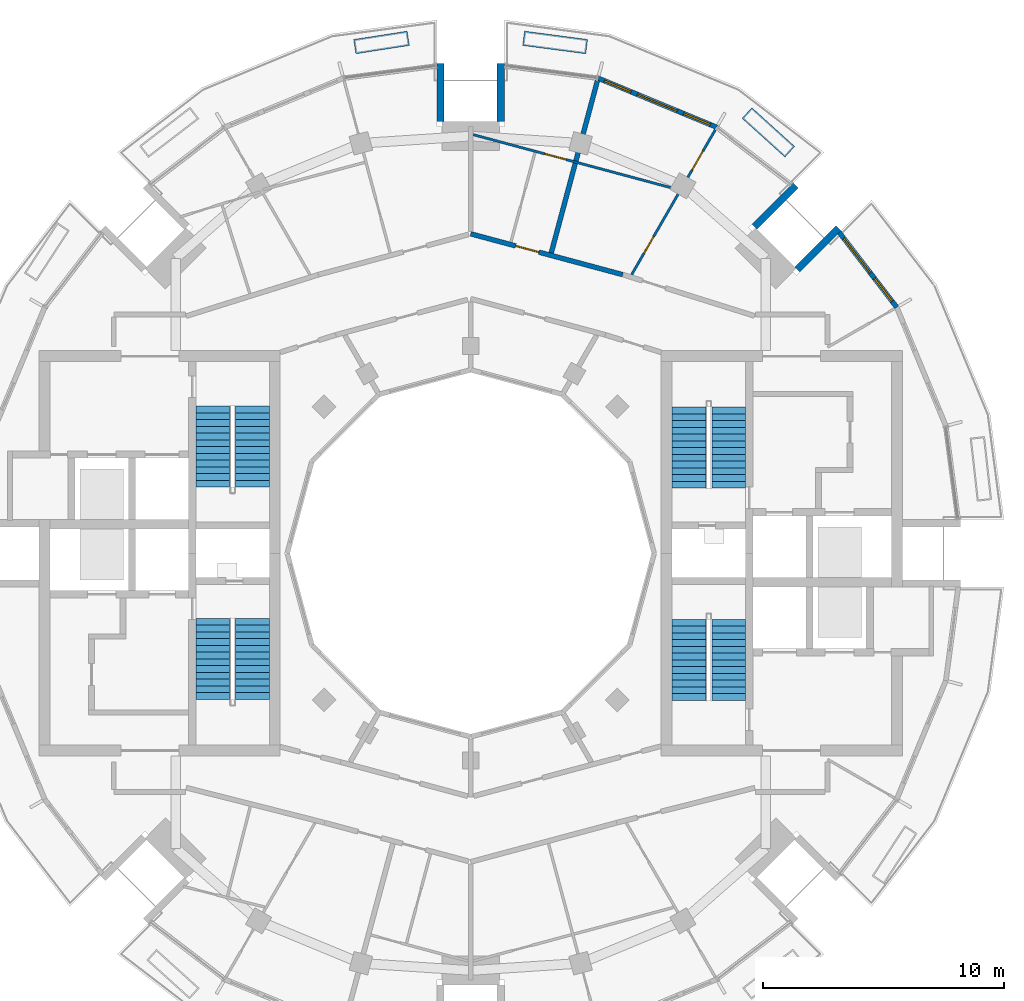
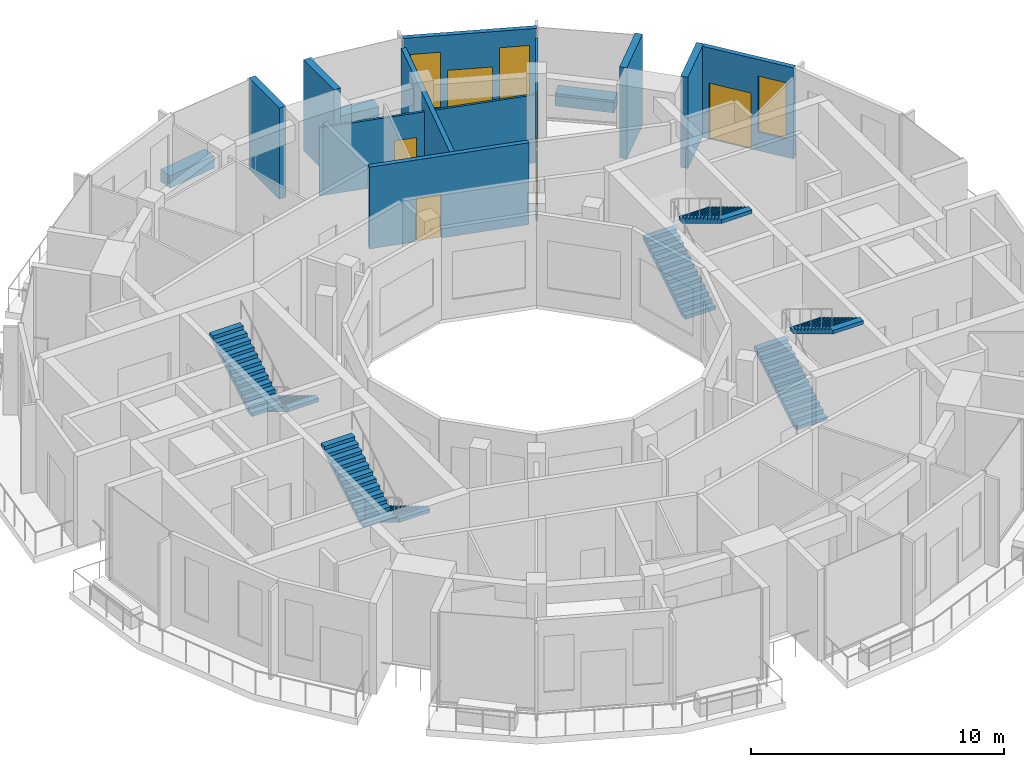
# One storey, part 12 of 15: 13 walls, 8 stair flights, 6 doors, 3 windows, 9 openings, 4 elements without a shape of their own.
"""IFC4 building model written with IfcOpenShell, lengths in metres."""

from ifc_helpers import new_model, si_unit, direction, frame, frame_2d, origin, place, context, subcontext, project, spatial, polyline, rectangle, outline, extrude, material, layer, layer_set, type_object, element, fill, aggregate, save


model = new_model("IFC4")

# Units and contexts
model_context = context("Model", 3, precision=1e-05, world=origin(), true_north=direction((0.0, 1.0)))
body_context = subcontext(model_context, "Body", "Model", "MODEL_VIEW")
ifc_project = project(units=[si_unit("LENGTHUNIT", "METRE"), si_unit("AREAUNIT", "SQUARE_METRE"), si_unit("VOLUMEUNIT", "CUBIC_METRE"), si_unit("PLANEANGLEUNIT", "RADIAN"), si_unit("MASSUNIT", "GRAM", prefix="KILO")], contexts=[model_context])

# Site, building, storey
site_placement = place(None, origin())
site = spatial("IfcSite", under=ifc_project, at=site_placement, CompositionType="ELEMENT")
building_placement = place(site_placement, origin())
building = spatial("IfcBuilding", under=site, at=building_placement, Name="Torre Brocal", CompositionType="ELEMENT")
storey_placement = place(building_placement, frame((0.0, 0.0, 314.89990234375)))
storey = spatial("IfcBuildingStorey", under=building, at=storey_placement, Name="L72", CompositionType="ELEMENT", Elevation=314.89990234375)

# Wall, openings, door, window
ifc_material_1 = material(Name="Concrete C40", Category="concrete")
ifc_layer_1 = layer(ifc_material_1, 0.199951171875)
ifc_layer_set_1 = layer_set([ifc_layer_1], Name="Concrete C40")
wall_type_1 = type_object("IfcWallType", Name="EXTERNAL WALL 200", PredefinedType="NOTDEFINED", material=ifc_layer_set_1)
wall_1_placement = place(storey_placement, frame((97.666259765625, 85.199462890625, 0.0), z_axis=(0.0, 0.0, 1.0), x_axis=(-0.608757608177, 0.793356272104, 0.0)))
wall_1 = element("IfcWall", 1, at=wall_1_placement, inside=storey, type_object=wall_type_1, Name="EXTERNAL WALL", PredefinedType="NOTDEFINED", context=body_context, shape_type="SweptSolid", body=[
    extrude(rectangle(XDim=3.913330078125, YDim=0.199951171875, at=frame_2d((1.95654296875, 0.0))), origin(), (0.0, 0.0, 1.0), 4.400146484375),
])
opening_1_placement = place(wall_1_placement, frame((0.313232421875, 0.0, 0.89990234375)))
opening_1 = element("IfcOpeningElement", 2, at=opening_1_placement, cuts=wall_1, Name="Opening W9", PredefinedType="OPENING", context=body_context, shape_type="SweptSolid", body=[
    extrude(rectangle(XDim=1.199951171875, YDim=2.699951171875, at=frame_2d((0.60009765625, 1.35009765625))), frame((0.0, 0.10986328125, 0.0), z_axis=(0.0, -1.0, 0.0), x_axis=(1.0, 0.0, 0.0)), (0.0, 0.0, 1.0), 0.219970703125),
])
opening_2_placement = place(wall_1_placement, frame((1.813232421875, 0.0, 0.0)))
opening_2 = element("IfcOpeningElement", 3, at=opening_2_placement, cuts=wall_1, Name="Opening L72-E01", PredefinedType="OPENING", context=body_context, shape_type="SweptSolid", body=[
    extrude(rectangle(XDim=1.800048828125, YDim=2.699951171875, at=frame_2d((0.89990234375, 1.35009765625))), frame((0.0, 0.10986328125, 0.0), z_axis=(0.0, -1.0, 0.0), x_axis=(1.0, 0.0, 0.0)), (0.0, 0.0, 1.0), 0.219970703125),
])
ifc_material_2 = material(Name="Aluminium and glass", Category="aluminium")
door_type_1 = type_object("IfcDoorType", Name="PENTHOUSE TERRACE DOUBLE DOOR 1800X2700", OperationType="DOUBLE_DOOR_SINGLE_SWING", PredefinedType="DOOR", material=ifc_material_2)
door_1_placement = place(opening_2_placement, frame((1.800048828125, 0.0, 0.0), z_axis=(0.0, 0.0, 1.0), x_axis=(-1.0, 0.0, 0.0)))
door_1 = element("IfcDoor", 4, at=door_1_placement, inside=storey, type_object=door_type_1, Name="DOOR L72-E01", OperationType="DOUBLE_DOOR_SINGLE_SWING", OverallHeight=2.699951171875, OverallWidth=1.800048828125, PredefinedType="DOOR", context=body_context, shape_type="SweptSolid", body=[
    extrude(rectangle(XDim=1.800048828125, YDim=2.699951171875, at=frame_2d((0.89990234375, 1.35009765625))), frame((0.0, 0.02490234375, 0.0), z_axis=(0.0, -1.0, 0.0), x_axis=(1.0, 0.0, 0.0)), (0.0, 0.0, 1.0), 0.050048828125),
])
fill(opening_2, door_1)
ifc_material_3 = material(Name="Aluminium and glass", Category="aluminium")
window_type = type_object("IfcWindowType", Name="PENTHOUSE TERRACE WINDOW 1200X2700", PartitioningType="SINGLE_PANEL", PredefinedType="WINDOW", material=ifc_material_3)
window_1_placement = place(opening_1_placement, origin())
window_1 = element("IfcWindow", 5, at=window_1_placement, inside=storey, type_object=window_type, Name="PENTHOUSE TERRACE WINDOW 1200X2700", OverallHeight=2.699951171875, OverallWidth=1.199951171875, PartitioningType="SINGLE_PANEL", PredefinedType="WINDOW", context=body_context, shape_type="SweptSolid", body=[
    extrude(rectangle(XDim=1.199951171875, YDim=2.699951171875, at=frame_2d((0.60009765625, 1.35009765625))), frame((0.0, 0.030029296875, 0.0), z_axis=(0.0, -1.0, 0.0), x_axis=(1.0, 0.0, 0.0)), (0.0, 0.0, 1.0), 0.06005859375),
])
fill(opening_1, window_1)

# Wall, openings, door, windows
wall_2_placement = place(storey_placement, frame((90.199462890625, 92.666259765625, 0.0), z_axis=(0.0, 0.0, 1.0), x_axis=(-0.923876574156, 0.382690574388, 0.0)))
wall_2 = element("IfcWall", 6, at=wall_2_placement, inside=storey, type_object=wall_type_1, Name="EXTERNAL WALL", PredefinedType="NOTDEFINED", context=body_context, shape_type="SweptSolid", body=[
    extrude(rectangle(XDim=5.324951171875, YDim=0.199951171875, at=frame_2d((2.66259765625, 0.0))), origin(), (0.0, 0.0, 1.0), 4.400146484375),
])
opening_3_placement = place(wall_2_placement, frame((0.28759765625, 0.0, 0.89990234375)))
opening_3 = element("IfcOpeningElement", 7, at=opening_3_placement, cuts=wall_2, Name="Opening W9", PredefinedType="OPENING", context=body_context, shape_type="SweptSolid", body=[
    extrude(rectangle(XDim=1.199951171875, YDim=2.699951171875, at=frame_2d((0.60009765625, 1.35009765625))), frame((0.0, 0.10986328125, 0.0), z_axis=(0.0, -1.0, 0.0), x_axis=(1.0, 0.0, 0.0)), (0.0, 0.0, 1.0), 0.219970703125),
])
opening_4_placement = place(wall_2_placement, frame((1.7626953125, 0.0, 0.0)))
opening_4 = element("IfcOpeningElement", 8, at=opening_4_placement, cuts=wall_2, Name="Opening L72-E02", PredefinedType="OPENING", context=body_context, shape_type="SweptSolid", body=[
    extrude(rectangle(XDim=1.800048828125, YDim=2.699951171875, at=frame_2d((0.89990234375, 1.35009765625))), frame((0.0, 0.10986328125, 0.0), z_axis=(0.0, -1.0, 0.0), x_axis=(1.0, 0.0, 0.0)), (0.0, 0.0, 1.0), 0.219970703125),
])
opening_5_placement = place(wall_2_placement, frame((3.837646484375, 0.0, 0.89990234375)))
opening_5 = element("IfcOpeningElement", 9, at=opening_5_placement, cuts=wall_2, Name="Opening W9", PredefinedType="OPENING", context=body_context, shape_type="SweptSolid", body=[
    extrude(rectangle(XDim=1.199951171875, YDim=2.699951171875, at=frame_2d((0.60009765625, 1.35009765625))), frame((0.0, 0.10986328125, 0.0), z_axis=(0.0, -1.0, 0.0), x_axis=(1.0, 0.0, 0.0)), (0.0, 0.0, 1.0), 0.219970703125),
])
door_2_placement = place(opening_4_placement, frame((1.800048828125, 0.0, 0.0), z_axis=(0.0, 0.0, 1.0), x_axis=(-1.0, 0.0, 0.0)))
door_2 = element("IfcDoor", 10, at=door_2_placement, inside=storey, type_object=door_type_1, Name="DOOR L72-E02", OperationType="DOUBLE_DOOR_SINGLE_SWING", OverallHeight=2.699951171875, OverallWidth=1.800048828125, PredefinedType="DOOR", context=body_context, shape_type="SweptSolid", body=[
    extrude(rectangle(XDim=1.800048828125, YDim=2.699951171875, at=frame_2d((0.89990234375, 1.35009765625))), frame((0.0, 0.02490234375, 0.0), z_axis=(0.0, -1.0, 0.0), x_axis=(1.0, 0.0, 0.0)), (0.0, 0.0, 1.0), 0.050048828125),
])
fill(opening_4, door_2)
window_2_placement = place(opening_3_placement, origin())
window_2 = element("IfcWindow", 11, at=window_2_placement, inside=storey, type_object=window_type, Name="PENTHOUSE TERRACE WINDOW 1200X2700", OverallHeight=2.699951171875, OverallWidth=1.199951171875, PartitioningType="SINGLE_PANEL", PredefinedType="WINDOW", context=body_context, shape_type="SweptSolid", body=[
    extrude(rectangle(XDim=1.199951171875, YDim=2.699951171875, at=frame_2d((0.60009765625, 1.35009765625))), frame((0.0, 0.030029296875, 0.0), z_axis=(0.0, -1.0, 0.0), x_axis=(1.0, 0.0, 0.0)), (0.0, 0.0, 1.0), 0.06005859375),
])
fill(opening_3, window_2)
window_3_placement = place(opening_5_placement, origin())
window_3 = element("IfcWindow", 12, at=window_3_placement, inside=storey, type_object=window_type, Name="PENTHOUSE TERRACE WINDOW 1200X2700", OverallHeight=2.699951171875, OverallWidth=1.199951171875, PartitioningType="SINGLE_PANEL", PredefinedType="WINDOW", context=body_context, shape_type="SweptSolid", body=[
    extrude(rectangle(XDim=1.199951171875, YDim=2.699951171875, at=frame_2d((0.60009765625, 1.35009765625))), frame((0.0, 0.030029296875, 0.0), z_axis=(0.0, -1.0, 0.0), x_axis=(1.0, 0.0, 0.0)), (0.0, 0.0, 1.0), 0.06005859375),
])
fill(opening_5, window_3)

# Walls
ifc_material_4 = material(Name="Concrete C50", Category="concrete")
ifc_layer_2 = layer(ifc_material_4, 0.300048828125)
ifc_layer_set_2 = layer_set([ifc_layer_2], Name="Concrete C50")
wall_type_2 = type_object("IfcWallType", Name="NOTCH RETURN WALL 300 C50", PredefinedType="NOTDEFINED", material=ifc_layer_set_2)
for number, where, z_axis, x_axis, name in (
    (13, (93.541015625, 86.7734375, 0.0), (0.0, 0.0, 1.0), (0.707157312274, 0.707056246487, 0.0), "NOTCH RETURN WALL"),
    (14, (91.7734375, 88.541015625, 0.0), (0.0, 0.0, 1.0), (0.707056246487, 0.707157312274, 0.0), "NOTCH RETURN WALL"),
    (15, (81.25, 92.89990234375, 0.0), (0.0, 0.0, 1.0), (0.0, 1.0, 0.0), "NOTCH RETURN WALL"),
    (16, (78.75, 92.89990234375, 0.0), (0.0, 0.0, 1.0), (0.0, 1.0, 0.0), "NOTCH RETURN WALL"),
):
    element("IfcWall", number, at=place(storey_placement, frame(where, z_axis=z_axis, x_axis=x_axis)), inside=storey, type_object=wall_type_2, Name=name, PredefinedType="NOTDEFINED", context=body_context, shape_type="SweptSolid", body=[
        extrude(rectangle(XDim=2.415771484375, YDim=0.300048828125, at=frame_2d((1.2080078125, 0.0))), origin(), (0.0, 0.0, 1.0), 4.400146484375),
    ])

# Wall, openings, doors
ifc_material_5 = material(Name="Gypsum board", Category="Gypsum")
ifc_layer_3 = layer(ifc_material_5, 0.10009765625)
ifc_layer_set_3 = layer_set([ifc_layer_3], Name="Gypsum board")
wall_type_3 = type_object("IfcWallType", Name="PARTITION 100", PredefinedType="PARTITIONING", material=ifc_layer_set_3)
wall_3_placement = place(storey_placement, frame((86.6728515625, 86.55322265625, 0.0), z_axis=(0.0, 0.0, 1.0), x_axis=(0.500103298341, 0.865965756245, 0.0)))
wall_3 = element("IfcWall", 17, at=wall_3_placement, inside=storey, type_object=wall_type_3, Name="BATHROOM WALL", PredefinedType="PARTITIONING", context=body_context, shape_type="SweptSolid", body=[
    extrude(rectangle(XDim=6.95458984375, YDim=0.10009765625, at=frame_2d((3.477294921875, 0.0))), origin(), (0.0, 0.0, 1.0), 3.9501953125),
])
opening_6_placement = place(wall_3_placement, frame((5.0146484375, 0.0, 0.0)))
opening_6 = element("IfcOpeningElement", 18, at=opening_6_placement, cuts=wall_3, Name="Opening N05-D02", PredefinedType="OPENING", context=body_context, shape_type="SweptSolid", body=[
    extrude(rectangle(XDim=0.89990234375, YDim=2.10009765625, at=frame_2d((0.449951171875, 1.050048828125))), frame((0.0, 0.06005859375, 0.0), z_axis=(0.0, -1.0, 0.0), x_axis=(1.0, 0.0, 0.0)), (0.0, 0.0, 1.0), 0.1201171875),
])
opening_7_placement = place(wall_3_placement, frame((1.027587890625, 0.0, 0.0)))
opening_7 = element("IfcOpeningElement", 19, at=opening_7_placement, cuts=wall_3, Name="Opening N05-D03", PredefinedType="OPENING", context=body_context, shape_type="SweptSolid", body=[
    extrude(rectangle(XDim=0.800048828125, YDim=2.10009765625, at=frame_2d((0.39990234375, 1.050048828125))), frame((0.0, 0.06005859375, 0.0), z_axis=(0.0, -1.0, 0.0), x_axis=(1.0, 0.0, 0.0)), (0.0, 0.0, 1.0), 0.1201171875),
])
ifc_material_6 = material(Name="Timber", Category="wood")
door_type_2 = type_object("IfcDoorType", Name="BATHROOM DOOR 800X2100", OperationType="SINGLE_SWING_LEFT", PredefinedType="DOOR", material=ifc_material_6)
door_3_placement = place(opening_7_placement, origin())
door_3 = element("IfcDoor", 20, at=door_3_placement, inside=storey, type_object=door_type_2, Name="N05-D03", OperationType="SINGLE_SWING_LEFT", OverallHeight=2.10009765625, OverallWidth=0.800048828125, PredefinedType="DOOR", context=body_context, shape_type="SweptSolid", body=[
    extrude(rectangle(XDim=0.800048828125, YDim=2.10009765625, at=frame_2d((0.39990234375, 1.050048828125))), frame((0.0, 0.02490234375, 0.0), z_axis=(0.0, -1.0, 0.0), x_axis=(1.0, 0.0, 0.0)), (0.0, 0.0, 1.0), 0.050048828125),
])
fill(opening_7, door_3)
ifc_material_7 = material(Name="Timber", Category="wood")
door_type_3 = type_object("IfcDoorType", Name="ROOM DOOR 900X2100", OperationType="SINGLE_SWING_LEFT", PredefinedType="DOOR", material=ifc_material_7)
door_4_placement = place(opening_6_placement, origin())
door_4 = element("IfcDoor", 21, at=door_4_placement, inside=storey, type_object=door_type_3, Name="N05-D02", OperationType="SINGLE_SWING_LEFT", OverallHeight=2.10009765625, OverallWidth=0.89990234375, PredefinedType="DOOR", context=body_context, shape_type="SweptSolid", body=[
    extrude(rectangle(XDim=0.89990234375, YDim=2.10009765625, at=frame_2d((0.449951171875, 1.050048828125))), frame((0.0, 0.02490234375, 0.0), z_axis=(0.0, -1.0, 0.0), x_axis=(1.0, 0.0, 0.0)), (0.0, 0.0, 1.0), 0.050048828125),
])
fill(opening_6, door_4)

# Wall, opening, door
ifc_material_8 = material(Name="Gypsum board", Category="Gypsum")
ifc_layer_4 = layer(ifc_material_8, 0.10009765625)
ifc_layer_set_4 = layer_set([ifc_layer_4], Name="Gypsum board")
wall_type_4 = type_object("IfcWallType", Name="PARTITION 100 UNDER BEAM 1120", PredefinedType="PARTITIONING", material=ifc_layer_set_4)
wall_4_placement = place(storey_placement, frame((80.106201171875, 92.358642578125, 0.0), z_axis=(0.0, 0.0, 1.0), x_axis=(0.965889909151, -0.258953052501, 0.0)))
wall_4 = element("IfcWall", 22, at=wall_4_placement, inside=storey, type_object=wall_type_4, Name="BATHROOM WALL", PredefinedType="PARTITIONING", context=body_context, shape_type="SweptSolid", body=[
    extrude(rectangle(XDim=8.830322265625, YDim=0.10009765625, at=frame_2d((4.4150390625, 0.0))), origin(), (0.0, 0.0, 1.0), 3.280029296875),
])
opening_8_placement = place(wall_4_placement, frame((3.076416015625, 0.0, 0.0)))
opening_8 = element("IfcOpeningElement", 23, at=opening_8_placement, cuts=wall_4, Name="Opening N05-D05", PredefinedType="OPENING", context=body_context, shape_type="SweptSolid", body=[
    extrude(rectangle(XDim=0.89990234375, YDim=2.10009765625, at=frame_2d((0.449951171875, 1.050048828125))), frame((0.0, 0.06005859375, 0.0), z_axis=(0.0, -1.0, 0.0), x_axis=(1.0, 0.0, 0.0)), (0.0, 0.0, 1.0), 0.1201171875),
])
door_5_placement = place(opening_8_placement, frame((0.89990234375, 0.0, 0.0), z_axis=(0.0, 0.0, 1.0), x_axis=(-1.0, 0.0, 0.0)))
door_5 = element("IfcDoor", 24, at=door_5_placement, inside=storey, type_object=door_type_3, Name="N05-D05", OperationType="SINGLE_SWING_LEFT", OverallHeight=2.10009765625, OverallWidth=0.89990234375, PredefinedType="DOOR", context=body_context, shape_type="SweptSolid", body=[
    extrude(rectangle(XDim=0.89990234375, YDim=2.10009765625, at=frame_2d((0.449951171875, 1.050048828125))), frame((0.0, 0.02490234375, 0.0), z_axis=(0.0, -1.0, 0.0), x_axis=(1.0, 0.0, 0.0)), (0.0, 0.0, 1.0), 0.050048828125),
])
fill(opening_8, door_5)

ifc_material_9 = material(Name="Gypsum board", Category="Gypsum")
ifc_layer_5 = layer(ifc_material_9, 0.199951171875)
ifc_layer_set_5 = layer_set([ifc_layer_5], Name="Gypsum board")
wall_type_5 = type_object("IfcWallType", Name="PARTITION 200 EI60", PredefinedType="PARTITIONING", material=ifc_layer_set_5)
wall_5_placement = place(storey_placement, frame((80.000244140625, 88.24658203125, 0.0), z_axis=(0.0, 0.0, 1.0), x_axis=(0.965807659316, -0.259259648244, 0.0)))
wall_5 = element("IfcWall", 25, at=wall_5_placement, inside=storey, type_object=wall_type_5, Name="FLAT ENTRANCE WALL", PredefinedType="PARTITIONING", context=body_context, shape_type="SweptSolid", body=[
    extrude(rectangle(XDim=6.52587890625, YDim=0.199951171875, at=frame_2d((3.262939453125, 0.0))), origin(), (0.0, 0.0, 1.0), 3.9501953125),
])
opening_9_placement = place(wall_5_placement, frame((1.930419921875, 0.0, 0.0)))
opening_9 = element("IfcOpeningElement", 26, at=opening_9_placement, cuts=wall_5, Name="Opening N05-D06", PredefinedType="OPENING", context=body_context, shape_type="SweptSolid", body=[
    extrude(rectangle(XDim=1.0, YDim=2.10009765625, at=frame_2d((0.5, 1.050048828125))), frame((0.0, 0.10986328125, 0.0), z_axis=(0.0, -1.0, 0.0), x_axis=(1.0, 0.0, 0.0)), (0.0, 0.0, 1.0), 0.219970703125),
])
ifc_material_10 = material(Name="Timber", Category="wood")
door_type_4 = type_object("IfcDoorType", Name="FLAT ENTRY DOOR FD30S 1000X2100", OperationType="SINGLE_SWING_RIGHT", PredefinedType="DOOR", material=ifc_material_10)
door_6_placement = place(opening_9_placement, origin())
door_6 = element("IfcDoor", 27, at=door_6_placement, inside=storey, type_object=door_type_4, Name="N05-D06", OperationType="SINGLE_SWING_LEFT", OverallHeight=2.10009765625, OverallWidth=1.0, PredefinedType="DOOR", context=body_context, shape_type="SweptSolid", body=[
    extrude(rectangle(XDim=1.0, YDim=2.10009765625, at=frame_2d((0.5, 1.050048828125))), frame((0.0, 0.02490234375, 0.0), z_axis=(0.0, -1.0, 0.0), x_axis=(1.0, 0.0, 0.0)), (0.0, 0.0, 1.0), 0.050048828125),
])
fill(opening_9, door_6)

# Walls
wall_6_placement = place(storey_placement, frame((83.33935546875, 87.45458984375, 0.0), z_axis=(0.0, 0.0, 1.0), x_axis=(0.258957498737, 0.965888717114, 0.0)))
element("IfcWall", 28, at=wall_6_placement, inside=storey, type_object=wall_type_5, Name="BATHROOM WALL", PredefinedType="PARTITIONING", context=body_context, shape_type="SweptSolid", body=[
    extrude(rectangle(XDim=7.403564453125, YDim=0.199951171875, at=frame_2d((3.70166015625, 0.0))), origin(), (0.0, 0.0, 1.0), 3.9501953125),
])
ifc_material_11 = material(Name="Concrete C35", Category="concrete")
ifc_layer_6 = layer(ifc_material_11, 0.60009765625)
ifc_layer_set_6 = layer_set([ifc_layer_6], Name="Concrete C35")
wall_type_6 = type_object("IfcWallType", Name="PLANTER WALL 600 THICK 600 HIGH 12", PredefinedType="USERDEFINED", material=ifc_layer_set_6)
wall_7_placement = place(storey_placement, frame((93.2314453125, 91.650390625, 0.0), z_axis=(0.0, 0.0, 1.0), x_axis=(-0.741658991894, 0.670777116293, 0.0)))
element("IfcWall", 29, at=wall_7_placement, inside=storey, type_object=wall_type_6, Name="PLANTER", ObjectType="PLANTER", PredefinedType="USERDEFINED", context=body_context, shape_type="SweptSolid", body=[
    extrude(rectangle(XDim=2.393798828125, YDim=0.60009765625, at=frame_2d((1.19677734375, 0.0))), origin(), (0.0, 0.0, 1.0), 0.60009765625),
])
wall_8_placement = place(storey_placement, frame((84.808349609375, 96.009521484375, 0.0), z_axis=(0.0, 0.0, 1.0), x_axis=(-0.991436014481, 0.130593373453, 0.0)))
element("IfcWall", 30, at=wall_8_placement, inside=storey, type_object=wall_type_6, Name="PLANTER", ObjectType="PLANTER", PredefinedType="USERDEFINED", context=body_context, shape_type="SweptSolid", body=[
    extrude(rectangle(XDim=2.637939453125, YDim=0.60009765625, at=frame_2d((1.31884765625, 0.0))), origin(), (0.0, 0.0, 1.0), 0.60009765625),
])
wall_9_placement = place(storey_placement, frame((77.41015625, 96.35400390625, 0.0), z_axis=(0.0, 0.0, 1.0), x_axis=(-0.988158273159, -0.153438023927, 0.0)))
element("IfcWall", 31, at=wall_9_placement, inside=storey, type_object=wall_type_6, Name="PLANTER", ObjectType="PLANTER", PredefinedType="USERDEFINED", context=body_context, shape_type="SweptSolid", body=[
    extrude(rectangle(XDim=2.2451171875, YDim=0.60009765625, at=frame_2d((1.12255859375, 0.0))), origin(), (0.0, 0.0, 1.0), 0.60009765625),
])

# Stair, stair flights
ifc_material_12 = material(Name="Concrete C50", Category="concrete")
stair_type = type_object("IfcStairType", Name="EXIT STAIR", PredefinedType="HALF_TURN_STAIR", material=ifc_material_12)
stair_1_placement = place(storey_placement, origin())
stair_1 = element("IfcStair", 32, at=stair_1_placement, inside=storey, type_object=stair_type, Name="EXIT STAIR ST1", PredefinedType="HALF_TURN_STAIR")
ifc_material_13 = material(Name="Concrete C50", Category="concrete")
ifc_layer_7 = layer(ifc_material_13, 0.14990234375)
ifc_layer_set_7 = layer_set([ifc_layer_7], Name="Concrete C50")
stair_flight_type = type_object("IfcStairFlightType", Name="STAIR FLIGHT", PredefinedType="STRAIGHT", material=ifc_layer_set_7)
stair_flight_1_placement = place(storey_placement, frame((89.050048828125, 77.699951171875, 0.0), z_axis=(0.0, 0.0, 1.0), x_axis=(0.0, 1.0, 0.0)))
stair_flight_1 = element("IfcStairFlight", 33, at=stair_flight_1_placement, type_object=stair_flight_type, Name="ST1 flight 1", NumberOfRisers=13, NumberOfTreads=12, PredefinedType="STRAIGHT", RiserHeight=0.169230769, TreadLength=0.28, context=body_context, shape_type="SweptSolid", body=[
    extrude(outline(polyline([(0.0, 0.0), (0.0, 0.169189453125), (0.280029296875, 0.169189453125), (0.280029296875, 0.33837890625), (0.56005859375, 0.33837890625), (0.56005859375, 0.5078125), (0.840087890625, 0.5078125), (0.840087890625, 0.677001953125), (1.1201171875, 0.677001953125), (1.1201171875, 0.84619140625), (1.39990234375, 0.84619140625), (1.39990234375, 1.015380859375), (1.679931640625, 1.015380859375), (1.679931640625, 1.1845703125), (1.9599609375, 1.1845703125), (1.9599609375, 1.353759765625), (2.239990234375, 1.353759765625), (2.239990234375, 1.523193359375), (2.52001953125, 1.523193359375), (2.52001953125, 1.6923828125), (2.800048828125, 1.6923828125), (2.800048828125, 1.861572265625), (3.080078125, 1.861572265625), (3.080078125, 2.03076171875), (3.360107421875, 2.03076171875), (3.360107421875, 2.199951171875), (3.360107421875, 1.855712890625), (0.289794921875, 0.0), (0.0, 0.0)])), frame((0.0, 0.699951171875, 0.0), z_axis=(0.0, -1.0, 0.0), x_axis=(1.0, 0.0, 0.0)), (0.0, 0.0, 1.0), 1.39990234375),
])
stair_flight_2_placement = place(storey_placement, frame((90.699951171875, 81.06005859375, 2.2001953125), z_axis=(0.0, 0.0, 1.0), x_axis=(0.0, -1.0, 0.0)))
stair_flight_2 = element("IfcStairFlight", 34, at=stair_flight_2_placement, type_object=stair_flight_type, Name="ST1 flight 2", NumberOfRisers=13, NumberOfTreads=12, PredefinedType="STRAIGHT", RiserHeight=0.169230769, TreadLength=0.28, context=body_context, shape_type="SweptSolid", body=[
    extrude(outline(polyline([(0.0, 0.0), (0.0, 0.169189453125), (0.280029296875, 0.169189453125), (0.280029296875, 0.33837890625), (0.56005859375, 0.33837890625), (0.56005859375, 0.5078125), (0.840087890625, 0.5078125), (0.840087890625, 0.677001953125), (1.1201171875, 0.677001953125), (1.1201171875, 0.84619140625), (1.39990234375, 0.84619140625), (1.39990234375, 1.015380859375), (1.679931640625, 1.015380859375), (1.679931640625, 1.1845703125), (1.9599609375, 1.1845703125), (1.9599609375, 1.353759765625), (2.239990234375, 1.353759765625), (2.239990234375, 1.523193359375), (2.52001953125, 1.523193359375), (2.52001953125, 1.6923828125), (2.800048828125, 1.6923828125), (2.800048828125, 1.861572265625), (3.080078125, 1.861572265625), (3.080078125, 2.03076171875), (3.360107421875, 2.03076171875), (3.360107421875, 2.199951171875), (3.360107421875, 1.855712890625), (0.289794921875, 0.0), (0.0, 0.0)])), frame((0.0, 0.699951171875, 0.0), z_axis=(0.0, -1.0, 0.0), x_axis=(1.0, 0.0, 0.0)), (0.0, 0.0, 1.0), 1.39990234375),
])
aggregate(stair_1, [stair_flight_1, stair_flight_2])

stair_2_placement = place(storey_placement, origin())
stair_2 = element("IfcStair", 35, at=stair_2_placement, inside=storey, type_object=stair_type, Name="EXIT STAIR ST2", PredefinedType="HALF_TURN_STAIR")
stair_flight_3_placement = place(storey_placement, frame((89.050048828125, 68.89990234375, 0.0), z_axis=(0.0, 0.0, 1.0), x_axis=(0.0, 1.0, 0.0)))
stair_flight_3 = element("IfcStairFlight", 36, at=stair_flight_3_placement, type_object=stair_flight_type, Name="ST2 flight 1", NumberOfRisers=13, NumberOfTreads=12, PredefinedType="STRAIGHT", RiserHeight=0.169230769, TreadLength=0.28, context=body_context, shape_type="SweptSolid", body=[
    extrude(outline(polyline([(0.0, 0.0), (0.0, 0.169189453125), (0.280029296875, 0.169189453125), (0.280029296875, 0.33837890625), (0.56005859375, 0.33837890625), (0.56005859375, 0.5078125), (0.840087890625, 0.5078125), (0.840087890625, 0.677001953125), (1.1201171875, 0.677001953125), (1.1201171875, 0.84619140625), (1.39990234375, 0.84619140625), (1.39990234375, 1.015380859375), (1.679931640625, 1.015380859375), (1.679931640625, 1.1845703125), (1.9599609375, 1.1845703125), (1.9599609375, 1.353759765625), (2.239990234375, 1.353759765625), (2.239990234375, 1.523193359375), (2.52001953125, 1.523193359375), (2.52001953125, 1.6923828125), (2.800048828125, 1.6923828125), (2.800048828125, 1.861572265625), (3.080078125, 1.861572265625), (3.080078125, 2.03076171875), (3.360107421875, 2.03076171875), (3.360107421875, 2.199951171875), (3.360107421875, 1.855712890625), (0.289794921875, 0.0), (0.0, 0.0)])), frame((0.0, 0.699951171875, 0.0), z_axis=(0.0, -1.0, 0.0), x_axis=(1.0, 0.0, 0.0)), (0.0, 0.0, 1.0), 1.39990234375),
])
stair_flight_4_placement = place(storey_placement, frame((90.699951171875, 72.260009765625, 2.2001953125), z_axis=(0.0, 0.0, 1.0), x_axis=(0.0, -1.0, 0.0)))
stair_flight_4 = element("IfcStairFlight", 37, at=stair_flight_4_placement, type_object=stair_flight_type, Name="ST2 flight 2", NumberOfRisers=13, NumberOfTreads=12, PredefinedType="STRAIGHT", RiserHeight=0.169230769, TreadLength=0.28, context=body_context, shape_type="SweptSolid", body=[
    extrude(outline(polyline([(0.0, 0.0), (0.0, 0.169189453125), (0.280029296875, 0.169189453125), (0.280029296875, 0.33837890625), (0.56005859375, 0.33837890625), (0.56005859375, 0.5078125), (0.840087890625, 0.5078125), (0.840087890625, 0.677001953125), (1.1201171875, 0.677001953125), (1.1201171875, 0.84619140625), (1.39990234375, 0.84619140625), (1.39990234375, 1.015380859375), (1.679931640625, 1.015380859375), (1.679931640625, 1.1845703125), (1.9599609375, 1.1845703125), (1.9599609375, 1.353759765625), (2.239990234375, 1.353759765625), (2.239990234375, 1.523193359375), (2.52001953125, 1.523193359375), (2.52001953125, 1.6923828125), (2.800048828125, 1.6923828125), (2.800048828125, 1.861572265625), (3.080078125, 1.861572265625), (3.080078125, 2.03076171875), (3.360107421875, 2.03076171875), (3.360107421875, 2.199951171875), (3.360107421875, 1.855712890625), (0.289794921875, 0.0), (0.0, 0.0)])), frame((0.0, 0.699951171875, 0.0), z_axis=(0.0, -1.0, 0.0), x_axis=(1.0, 0.0, 0.0)), (0.0, 0.0, 1.0), 1.39990234375),
])
aggregate(stair_2, [stair_flight_3, stair_flight_4])

stair_3_placement = place(storey_placement, origin())
stair_3 = element("IfcStair", 38, at=stair_3_placement, inside=storey, type_object=stair_type, Name="EXIT STAIR ST3", PredefinedType="HALF_TURN_STAIR")
stair_flight_5_placement = place(storey_placement, frame((70.949951171875, 72.300048828125, 0.0), z_axis=(0.0, 0.0, 1.0), x_axis=(0.0, -1.0, 0.0)))
stair_flight_5 = element("IfcStairFlight", 39, at=stair_flight_5_placement, type_object=stair_flight_type, Name="ST3 flight 1", NumberOfRisers=13, NumberOfTreads=12, PredefinedType="STRAIGHT", RiserHeight=0.169230769, TreadLength=0.28, context=body_context, shape_type="SweptSolid", body=[
    extrude(outline(polyline([(0.0, 0.0), (0.0, 0.169189453125), (0.280029296875, 0.169189453125), (0.280029296875, 0.33837890625), (0.56005859375, 0.33837890625), (0.56005859375, 0.5078125), (0.840087890625, 0.5078125), (0.840087890625, 0.677001953125), (1.1201171875, 0.677001953125), (1.1201171875, 0.84619140625), (1.39990234375, 0.84619140625), (1.39990234375, 1.015380859375), (1.679931640625, 1.015380859375), (1.679931640625, 1.1845703125), (1.9599609375, 1.1845703125), (1.9599609375, 1.353759765625), (2.239990234375, 1.353759765625), (2.239990234375, 1.523193359375), (2.52001953125, 1.523193359375), (2.52001953125, 1.6923828125), (2.800048828125, 1.6923828125), (2.800048828125, 1.861572265625), (3.080078125, 1.861572265625), (3.080078125, 2.03076171875), (3.360107421875, 2.03076171875), (3.360107421875, 2.199951171875), (3.360107421875, 1.855712890625), (0.289794921875, 0.0), (0.0, 0.0)])), frame((0.0, 0.699951171875, 0.0), z_axis=(0.0, -1.0, 0.0), x_axis=(1.0, 0.0, 0.0)), (0.0, 0.0, 1.0), 1.39990234375),
])
stair_flight_6_placement = place(storey_placement, frame((69.300048828125, 68.93994140625, 2.2001953125), z_axis=(0.0, 0.0, 1.0), x_axis=(0.0, 1.0, 0.0)))
stair_flight_6 = element("IfcStairFlight", 40, at=stair_flight_6_placement, type_object=stair_flight_type, Name="ST3 flight 2", NumberOfRisers=13, NumberOfTreads=12, PredefinedType="STRAIGHT", RiserHeight=0.169230769, TreadLength=0.28, context=body_context, shape_type="SweptSolid", body=[
    extrude(outline(polyline([(0.0, 0.0), (0.0, 0.169189453125), (0.280029296875, 0.169189453125), (0.280029296875, 0.33837890625), (0.56005859375, 0.33837890625), (0.56005859375, 0.5078125), (0.840087890625, 0.5078125), (0.840087890625, 0.677001953125), (1.1201171875, 0.677001953125), (1.1201171875, 0.84619140625), (1.39990234375, 0.84619140625), (1.39990234375, 1.015380859375), (1.679931640625, 1.015380859375), (1.679931640625, 1.1845703125), (1.9599609375, 1.1845703125), (1.9599609375, 1.353759765625), (2.239990234375, 1.353759765625), (2.239990234375, 1.523193359375), (2.52001953125, 1.523193359375), (2.52001953125, 1.6923828125), (2.800048828125, 1.6923828125), (2.800048828125, 1.861572265625), (3.080078125, 1.861572265625), (3.080078125, 2.03076171875), (3.360107421875, 2.03076171875), (3.360107421875, 2.199951171875), (3.360107421875, 1.855712890625), (0.289794921875, 0.0), (0.0, 0.0)])), frame((0.0, 0.699951171875, 0.0), z_axis=(0.0, -1.0, 0.0), x_axis=(1.0, 0.0, 0.0)), (0.0, 0.0, 1.0), 1.39990234375),
])
aggregate(stair_3, [stair_flight_5, stair_flight_6])

stair_4_placement = place(storey_placement, origin())
stair_4 = element("IfcStair", 41, at=stair_4_placement, inside=storey, type_object=stair_type, Name="EXIT STAIR ST4", PredefinedType="HALF_TURN_STAIR")
stair_flight_7_placement = place(storey_placement, frame((70.949951171875, 81.10009765625, 0.0), z_axis=(0.0, 0.0, 1.0), x_axis=(0.0, -1.0, 0.0)))
stair_flight_7 = element("IfcStairFlight", 42, at=stair_flight_7_placement, type_object=stair_flight_type, Name="ST4 flight 1", NumberOfRisers=13, NumberOfTreads=12, PredefinedType="STRAIGHT", RiserHeight=0.169230769, TreadLength=0.28, context=body_context, shape_type="SweptSolid", body=[
    extrude(outline(polyline([(0.0, 0.0), (0.0, 0.169189453125), (0.280029296875, 0.169189453125), (0.280029296875, 0.33837890625), (0.56005859375, 0.33837890625), (0.56005859375, 0.5078125), (0.840087890625, 0.5078125), (0.840087890625, 0.677001953125), (1.1201171875, 0.677001953125), (1.1201171875, 0.84619140625), (1.39990234375, 0.84619140625), (1.39990234375, 1.015380859375), (1.679931640625, 1.015380859375), (1.679931640625, 1.1845703125), (1.9599609375, 1.1845703125), (1.9599609375, 1.353759765625), (2.239990234375, 1.353759765625), (2.239990234375, 1.523193359375), (2.52001953125, 1.523193359375), (2.52001953125, 1.6923828125), (2.800048828125, 1.6923828125), (2.800048828125, 1.861572265625), (3.080078125, 1.861572265625), (3.080078125, 2.03076171875), (3.360107421875, 2.03076171875), (3.360107421875, 2.199951171875), (3.360107421875, 1.855712890625), (0.289794921875, 0.0), (0.0, 0.0)])), frame((0.0, 0.699951171875, 0.0), z_axis=(0.0, -1.0, 0.0), x_axis=(1.0, 0.0, 0.0)), (0.0, 0.0, 1.0), 1.39990234375),
])
stair_flight_8_placement = place(storey_placement, frame((69.300048828125, 77.739990234375, 2.2001953125), z_axis=(0.0, 0.0, 1.0), x_axis=(0.0, 1.0, 0.0)))
stair_flight_8 = element("IfcStairFlight", 43, at=stair_flight_8_placement, type_object=stair_flight_type, Name="ST4 flight 2", NumberOfRisers=13, NumberOfTreads=12, PredefinedType="STRAIGHT", RiserHeight=0.169230769, TreadLength=0.28, context=body_context, shape_type="SweptSolid", body=[
    extrude(outline(polyline([(0.0, 0.0), (0.0, 0.169189453125), (0.280029296875, 0.169189453125), (0.280029296875, 0.33837890625), (0.56005859375, 0.33837890625), (0.56005859375, 0.5078125), (0.840087890625, 0.5078125), (0.840087890625, 0.677001953125), (1.1201171875, 0.677001953125), (1.1201171875, 0.84619140625), (1.39990234375, 0.84619140625), (1.39990234375, 1.015380859375), (1.679931640625, 1.015380859375), (1.679931640625, 1.1845703125), (1.9599609375, 1.1845703125), (1.9599609375, 1.353759765625), (2.239990234375, 1.353759765625), (2.239990234375, 1.523193359375), (2.52001953125, 1.523193359375), (2.52001953125, 1.6923828125), (2.800048828125, 1.6923828125), (2.800048828125, 1.861572265625), (3.080078125, 1.861572265625), (3.080078125, 2.03076171875), (3.360107421875, 2.03076171875), (3.360107421875, 2.199951171875), (3.360107421875, 1.855712890625), (0.289794921875, 0.0), (0.0, 0.0)])), frame((0.0, 0.699951171875, 0.0), z_axis=(0.0, -1.0, 0.0), x_axis=(1.0, 0.0, 0.0)), (0.0, 0.0, 1.0), 1.39990234375),
])
aggregate(stair_4, [stair_flight_7, stair_flight_8])

save(model, "model.ifc")
